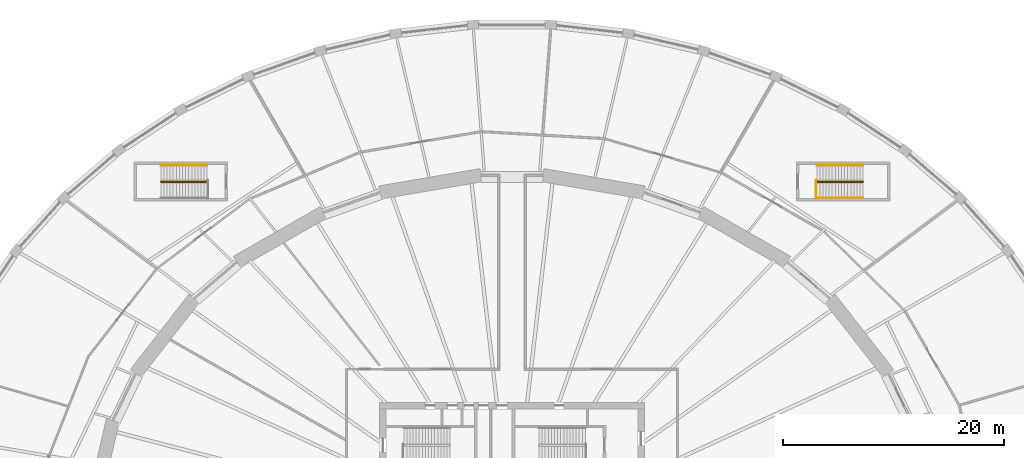
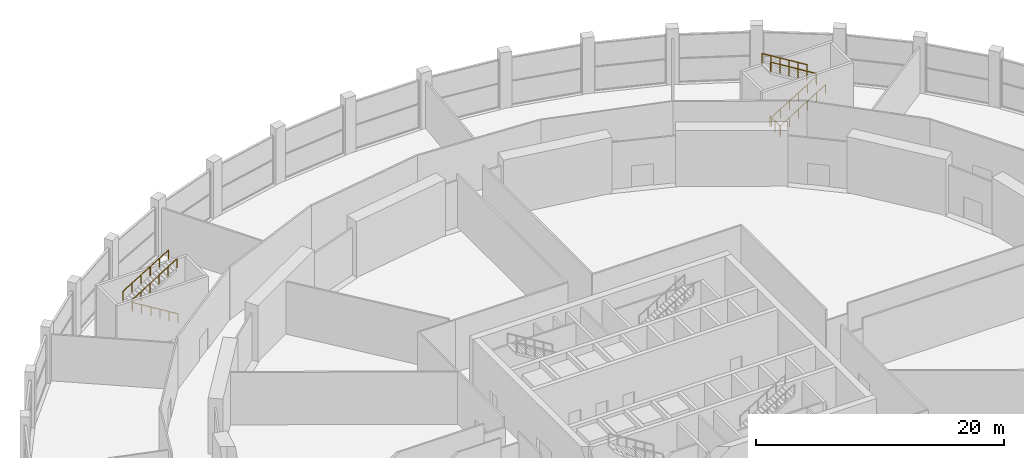
# One storey, part 28 of 29: 6 railings.
"""IFC4 building model written with IfcOpenShell, lengths in metres."""

from ifc_helpers import new_model, si_unit, direction, frame, origin, origin_2d, place, context, subcontext, project, spatial, circle, extrude, material, type_object, element, save


model = new_model("IFC4")

# Units and contexts
model_context = context("Model", 3, precision=1e-05, world=origin(), true_north=direction((0.0, 1.0)))
body_context = subcontext(model_context, "Body", "Model", "MODEL_VIEW")
ifc_project = project(units=[si_unit("LENGTHUNIT", "METRE"), si_unit("AREAUNIT", "SQUARE_METRE"), si_unit("VOLUMEUNIT", "CUBIC_METRE"), si_unit("PLANEANGLEUNIT", "RADIAN"), si_unit("MASSUNIT", "GRAM", prefix="KILO")], contexts=[model_context])

# Site, building, storey
site_placement = place(None, origin())
site = spatial("IfcSite", under=ifc_project, at=site_placement, CompositionType="ELEMENT")
building_placement = place(site_placement, origin())
building = spatial("IfcBuilding", under=site, at=building_placement, Name="Halqa Exchange Tower", CompositionType="ELEMENT")
storey_placement = place(building_placement, frame((0.0, 0.0, 7.0)))
storey = spatial("IfcBuildingStorey", under=building, at=storey_placement, Name="L01", CompositionType="ELEMENT", Elevation=7.0)

# Railings
ifc_material = material(Name="Stainless steel", Category="steel")
railing_type_1 = type_object("IfcRailingType", Name="Stair handrail 900", PredefinedType="HANDRAIL", material=ifc_material)
railing_1_placement = place(storey_placement, frame((27.60009765625, 31.93505859375, 0.171875)))
element("IfcRailing", 1, at=railing_1_placement, inside=storey, type_object=railing_type_1, Name="Handrail PS1.1", PredefinedType="HANDRAIL", context=body_context, shape_type="SweptSolid", body=[
    extrude(circle(Radius=0.02392578125, at=origin_2d()), frame((0.0, 0.0, 0.8759765625), z_axis=(0.852242915053, 0.0, 0.523146264196), x_axis=(0.0, 1.0, 0.0)), (0.0, 0.0, 1.0), 4.92822265625),
    extrude(circle(Radius=0.02392578125, at=origin_2d()), frame((4.199951171875, 0.0, 3.4541015625), z_axis=(0.0, 0.602897214173, 0.797818869883), x_axis=(-1.0, 0.0, 0.0)), (0.0, 0.0, 1.0), 0.21533203125),
    extrude(circle(Radius=0.02392578125, at=origin_2d()), frame((4.199951171875, 0.1298828125, 3.6259765625), z_axis=(-0.852242915053, 0.0, 0.523146264196), x_axis=(0.0, -1.0, 0.0)), (0.0, 0.0, 1.0), 4.92822265625),
    extrude(circle(Radius=0.02099609375, at=origin_2d()), origin(), (0.0, 0.0, 1.0), 0.851806640625),
    extrude(circle(Radius=0.02099609375, at=origin_2d()), frame((0.840087890625, 0.0, 0.515625)), (0.0, 0.0, 1.0), 0.851806640625),
    extrude(circle(Radius=0.02099609375, at=origin_2d()), frame((1.679931640625, 0.0, 1.03125)), (0.0, 0.0, 1.0), 0.851806640625),
    extrude(circle(Radius=0.02099609375, at=origin_2d()), frame((2.52001953125, 0.0, 1.546875)), (0.0, 0.0, 1.0), 0.851806640625),
    extrude(circle(Radius=0.02099609375, at=origin_2d()), frame((3.35986328125, 0.0, 2.0625)), (0.0, 0.0, 1.0), 0.851806640625),
    extrude(circle(Radius=0.02099609375, at=origin_2d()), frame((4.199951171875, 0.0, 2.578125)), (0.0, 0.0, 1.0), 0.851806640625),
    extrude(circle(Radius=0.02099609375, at=origin_2d()), frame((4.199951171875, 0.1298828125, 2.75)), (0.0, 0.0, 1.0), 0.851806640625),
    extrude(circle(Radius=0.02099609375, at=origin_2d()), frame((3.35986328125, 0.1298828125, 3.265625)), (0.0, 0.0, 1.0), 0.851806640625),
    extrude(circle(Radius=0.02099609375, at=origin_2d()), frame((2.52001953125, 0.1298828125, 3.78125)), (0.0, 0.0, 1.0), 0.851806640625),
    extrude(circle(Radius=0.02099609375, at=origin_2d()), frame((1.679931640625, 0.1298828125, 4.296875)), (0.0, 0.0, 1.0), 0.851806640625),
    extrude(circle(Radius=0.02099609375, at=origin_2d()), frame((0.840087890625, 0.1298828125, 4.8125)), (0.0, 0.0, 1.0), 0.851806640625),
    extrude(circle(Radius=0.02099609375, at=origin_2d()), frame((0.0, 0.1298828125, 5.328125)), (0.0, 0.0, 1.0), 0.851806640625),
])
railing_2_placement = place(storey_placement, frame((27.60009765625, 30.52490234375, 0.171875)))
element("IfcRailing", 2, at=railing_2_placement, inside=storey, type_object=railing_type_1, Name="Handrail PS1.2", PredefinedType="HANDRAIL", context=body_context, shape_type="SweptSolid", body=[
    extrude(circle(Radius=0.02392578125, at=origin_2d()), frame((0.0, 0.0, 0.8759765625), z_axis=(0.852242915053, 0.0, 0.523146264196), x_axis=(0.0, 1.0, 0.0)), (0.0, 0.0, 1.0), 4.92822265625),
    extrude(circle(Radius=0.02099609375, at=origin_2d()), origin(), (0.0, 0.0, 1.0), 0.851806640625),
    extrude(circle(Radius=0.02099609375, at=origin_2d()), frame((0.840087890625, 0.0, 0.515625)), (0.0, 0.0, 1.0), 0.851806640625),
    extrude(circle(Radius=0.02099609375, at=origin_2d()), frame((1.679931640625, 0.0, 1.03125)), (0.0, 0.0, 1.0), 0.851806640625),
    extrude(circle(Radius=0.02099609375, at=origin_2d()), frame((2.52001953125, 0.0, 1.546875)), (0.0, 0.0, 1.0), 0.851806640625),
    extrude(circle(Radius=0.02099609375, at=origin_2d()), frame((3.35986328125, 0.0, 2.0625)), (0.0, 0.0, 1.0), 0.851806640625),
    extrude(circle(Radius=0.02099609375, at=origin_2d()), frame((4.199951171875, 0.0, 2.578125)), (0.0, 0.0, 1.0), 0.851806640625),
])
railing_3_placement = place(storey_placement, frame((31.800048828125, 33.47509765625, 2.921875)))
element("IfcRailing", 3, at=railing_3_placement, inside=storey, type_object=railing_type_1, Name="Handrail PS1.3", PredefinedType="HANDRAIL", context=body_context, shape_type="SweptSolid", body=[
    extrude(circle(Radius=0.02392578125, at=origin_2d()), frame((0.0, 0.0, 0.8759765625), z_axis=(-0.852242915053, 0.0, 0.523146264196), x_axis=(0.0, -1.0, 0.0)), (0.0, 0.0, 1.0), 4.92822265625),
    extrude(circle(Radius=0.02099609375, at=origin_2d()), origin(), (0.0, 0.0, 1.0), 0.851806640625),
    extrude(circle(Radius=0.02099609375, at=origin_2d()), frame((-0.840087890625, 0.0, 0.515625)), (0.0, 0.0, 1.0), 0.851806640625),
    extrude(circle(Radius=0.02099609375, at=origin_2d()), frame((-1.679931640625, 0.0, 1.03125)), (0.0, 0.0, 1.0), 0.851806640625),
    extrude(circle(Radius=0.02099609375, at=origin_2d()), frame((-2.52001953125, 0.0, 1.546875)), (0.0, 0.0, 1.0), 0.851806640625),
    extrude(circle(Radius=0.02099609375, at=origin_2d()), frame((-3.35986328125, 0.0, 2.0625)), (0.0, 0.0, 1.0), 0.851806640625),
    extrude(circle(Radius=0.02099609375, at=origin_2d()), frame((-4.199951171875, 0.0, 2.578125)), (0.0, 0.0, 1.0), 0.851806640625),
])
railing_4_placement = place(storey_placement, frame((-27.60009765625, 31.93505859375, 0.171875)))
element("IfcRailing", 4, at=railing_4_placement, inside=storey, type_object=railing_type_1, Name="Handrail PS3.1", PredefinedType="HANDRAIL", context=body_context, shape_type="SweptSolid", body=[
    extrude(circle(Radius=0.02392578125, at=origin_2d()), frame((0.0, 0.0, 0.8759765625), z_axis=(-0.852242915053, 0.0, 0.523146264196), x_axis=(0.0, -1.0, 0.0)), (0.0, 0.0, 1.0), 4.92822265625),
    extrude(circle(Radius=0.02392578125, at=origin_2d()), frame((-4.199951171875, 0.0, 3.4541015625), z_axis=(0.0, 0.602897214173, 0.797818869883), x_axis=(-1.0, 0.0, 0.0)), (0.0, 0.0, 1.0), 0.21533203125),
    extrude(circle(Radius=0.02392578125, at=origin_2d()), frame((-4.199951171875, 0.1298828125, 3.6259765625), z_axis=(0.852242915053, 0.0, 0.523146264196), x_axis=(0.0, 1.0, 0.0)), (0.0, 0.0, 1.0), 4.92822265625),
    extrude(circle(Radius=0.02099609375, at=origin_2d()), origin(), (0.0, 0.0, 1.0), 0.851806640625),
    extrude(circle(Radius=0.02099609375, at=origin_2d()), frame((-0.840087890625, 0.0, 0.515625)), (0.0, 0.0, 1.0), 0.851806640625),
    extrude(circle(Radius=0.02099609375, at=origin_2d()), frame((-1.679931640625, 0.0, 1.03125)), (0.0, 0.0, 1.0), 0.851806640625),
    extrude(circle(Radius=0.02099609375, at=origin_2d()), frame((-2.52001953125, 0.0, 1.546875)), (0.0, 0.0, 1.0), 0.851806640625),
    extrude(circle(Radius=0.02099609375, at=origin_2d()), frame((-3.35986328125, 0.0, 2.0625)), (0.0, 0.0, 1.0), 0.851806640625),
    extrude(circle(Radius=0.02099609375, at=origin_2d()), frame((-4.199951171875, 0.0, 2.578125)), (0.0, 0.0, 1.0), 0.851806640625),
    extrude(circle(Radius=0.02099609375, at=origin_2d()), frame((-4.199951171875, 0.1298828125, 2.75)), (0.0, 0.0, 1.0), 0.851806640625),
    extrude(circle(Radius=0.02099609375, at=origin_2d()), frame((-3.35986328125, 0.1298828125, 3.265625)), (0.0, 0.0, 1.0), 0.851806640625),
    extrude(circle(Radius=0.02099609375, at=origin_2d()), frame((-2.52001953125, 0.1298828125, 3.78125)), (0.0, 0.0, 1.0), 0.851806640625),
    extrude(circle(Radius=0.02099609375, at=origin_2d()), frame((-1.679931640625, 0.1298828125, 4.296875)), (0.0, 0.0, 1.0), 0.851806640625),
    extrude(circle(Radius=0.02099609375, at=origin_2d()), frame((-0.840087890625, 0.1298828125, 4.8125)), (0.0, 0.0, 1.0), 0.851806640625),
    extrude(circle(Radius=0.02099609375, at=origin_2d()), frame((0.0, 0.1298828125, 5.328125)), (0.0, 0.0, 1.0), 0.851806640625),
])
railing_5_placement = place(storey_placement, frame((-31.800048828125, 33.47509765625, 2.921875)))
element("IfcRailing", 5, at=railing_5_placement, inside=storey, type_object=railing_type_1, Name="Handrail PS3.3", PredefinedType="HANDRAIL", context=body_context, shape_type="SweptSolid", body=[
    extrude(circle(Radius=0.02392578125, at=origin_2d()), frame((0.0, 0.0, 0.8759765625), z_axis=(0.852242915053, 0.0, 0.523146264196), x_axis=(0.0, 1.0, 0.0)), (0.0, 0.0, 1.0), 4.92822265625),
    extrude(circle(Radius=0.02099609375, at=origin_2d()), origin(), (0.0, 0.0, 1.0), 0.851806640625),
    extrude(circle(Radius=0.02099609375, at=origin_2d()), frame((0.840087890625, 0.0, 0.515625)), (0.0, 0.0, 1.0), 0.851806640625),
    extrude(circle(Radius=0.02099609375, at=origin_2d()), frame((1.679931640625, 0.0, 1.03125)), (0.0, 0.0, 1.0), 0.851806640625),
    extrude(circle(Radius=0.02099609375, at=origin_2d()), frame((2.52001953125, 0.0, 1.546875)), (0.0, 0.0, 1.0), 0.851806640625),
    extrude(circle(Radius=0.02099609375, at=origin_2d()), frame((3.35986328125, 0.0, 2.0625)), (0.0, 0.0, 1.0), 0.851806640625),
    extrude(circle(Radius=0.02099609375, at=origin_2d()), frame((4.199951171875, 0.0, 2.578125)), (0.0, 0.0, 1.0), 0.851806640625),
])
railing_type_2 = type_object("IfcRailingType", Name="Stair well guard 1100", PredefinedType="GUARDRAIL", material=ifc_material)
railing_6_placement = place(storey_placement, frame((27.550048828125, 30.47509765625, 0.0)))
element("IfcRailing", 6, at=railing_6_placement, inside=storey, type_object=railing_type_2, Name="Guard PS1 well", PredefinedType="GUARDRAIL", context=body_context, shape_type="SweptSolid", body=[
    extrude(circle(Radius=0.02392578125, at=origin_2d()), frame((0.0, 0.0, 1.076171875), z_axis=(0.0, 1.0, 0.0), x_axis=(-1.0, 0.0, 0.0)), (0.0, 0.0, 1.0), 1.64990234375),
    extrude(circle(Radius=0.02099609375, at=origin_2d()), origin(), (0.0, 0.0, 1.0), 1.052001953125),
    extrude(circle(Radius=0.02099609375, at=origin_2d()), frame((0.0, 0.824951171875, 0.0)), (0.0, 0.0, 1.0), 1.052001953125),
    extrude(circle(Radius=0.02099609375, at=origin_2d()), frame((0.0, 1.64990234375, 0.0)), (0.0, 0.0, 1.0), 1.052001953125),
])

save(model, "model.ifc")
